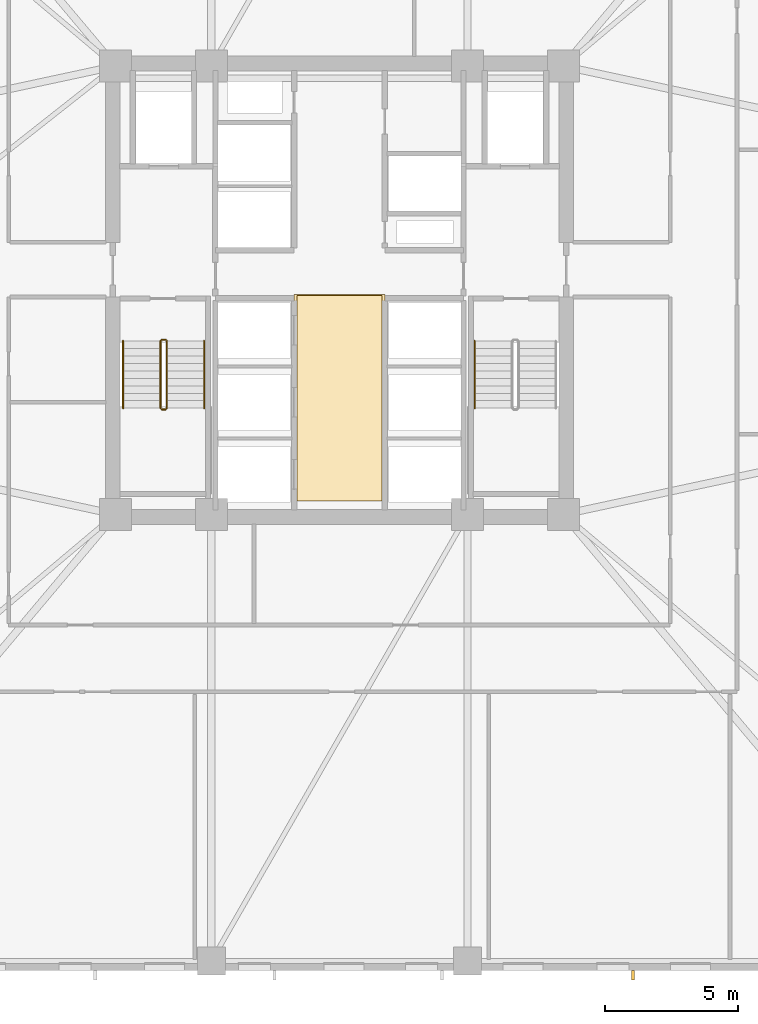
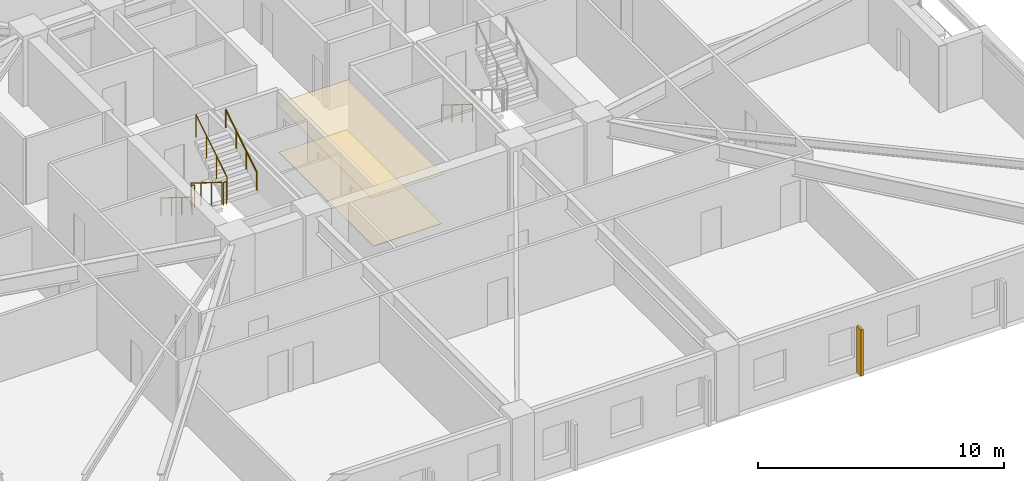
# One storey, part 8 of 11: 7 railings, 2 coverings, 1 shading device.
"""IFC4 building model written with IfcOpenShell, lengths in metres."""

from ifc_helpers import new_model, si_unit, direction, frame, origin, origin_2d, place, context, subcontext, project, spatial, polyline, rectangle, circle, outline, extrude, material, layer, layer_set, type_object, element, save


model = new_model("IFC4")

# Units and contexts
model_context = context("Model", 3, precision=1e-05, world=origin(), true_north=direction((0.0, 1.0)))
body_context = subcontext(model_context, "Body", "Model", "MODEL_VIEW")
ifc_project = project(units=[si_unit("LENGTHUNIT", "METRE"), si_unit("AREAUNIT", "SQUARE_METRE"), si_unit("VOLUMEUNIT", "CUBIC_METRE"), si_unit("PLANEANGLEUNIT", "RADIAN"), si_unit("MASSUNIT", "GRAM", prefix="KILO")], contexts=[model_context])

# Site, building, storey
site_placement = place(None, origin())
site = spatial("IfcSite", under=ifc_project, at=site_placement, CompositionType="ELEMENT")
building_placement = place(site_placement, origin())
building = spatial("IfcBuilding", under=site, at=building_placement, Name="Cairnveth Concourse Tower", CompositionType="ELEMENT")
storey_placement = place(building_placement, frame((0.0, 0.0, 62.0)))
storey = spatial("IfcBuildingStorey", under=building, at=storey_placement, Name="L16", CompositionType="ELEMENT", Elevation=62.0)

# Covering
ifc_material_1 = material(Name="Acoustic Mineral Fibre Ceiling", Category="gypsum")
ifc_layer_1 = layer(ifc_material_1, 0.02490234375)
ifc_layer_set_1 = layer_set([ifc_layer_1], Name="Acoustic Mineral Fibre Ceiling")
covering_type_1 = type_object("IfcCoveringType", Name="ACOUSTIC MINERAL FIBRE CEILING 25", PredefinedType="CEILING", material=ifc_layer_set_1)
covering_1_placement = place(storey_placement, frame((0.0, 0.0, 2.424072265625)))
element("IfcCovering", 1, at=covering_1_placement, inside=storey, type_object=covering_type_1, Name="Lift Lobby Acoustic Ceiling L16", PredefinedType="CEILING", context=body_context, shape_type="SweptSolid", body=[
    extrude(outline(polyline([(50.300048828125, 31.10009765625), (53.699951171875, 31.10009765625), (53.699951171875, 38.85009765625), (50.300048828125, 38.85009765625), (50.300048828125, 31.10009765625)])), origin(), (0.0, 0.0, 1.0), 0.02490234375),
])

# Shading device
ifc_material_2 = material(Name="Architectural Bronze Anodised Aluminium 6063-T6", Category="aluminium")
shading_device_type = type_object("IfcShadingDeviceType", Name="GOTHIC BRONZE VERTICAL LANCET FIN", PredefinedType="USERDEFINED", material=ifc_material_2)
shading_device_placement = place(storey_placement, frame((63.009521484375, 13.324951171875, 0.02978515625), z_axis=(0.0, 0.0, 1.0), x_axis=(1.0, 0.0, 0.0)))
element("IfcShadingDevice", 2, at=shading_device_placement, inside=storey, type_object=shading_device_type, Name="Gothic Bronze Vertical Fin L16-3-3", ObjectType="VERTICAL FIN", PredefinedType="USERDEFINED", context=body_context, shape_type="SweptSolid", body=[
    extrude(rectangle(XDim=0.1201171875, YDim=0.360107421875, at=origin_2d()), origin(), (0.0, 0.0, 1.0), 2.303955078125),
])

# Railings
ifc_material_3 = material(Name="Steel Grade 350", Category="steel")
railing_type_1 = type_object("IfcRailingType", Name="STAIR GUARDRAIL 1150", PredefinedType="GUARDRAIL", material=ifc_material_3)
railing_1_placement = place(storey_placement, frame((45.2900390625, 37.10009765625, 0.175048828125)))
element("IfcRailing", 3, at=railing_1_placement, inside=storey, type_object=railing_type_1, Name="L16 ST-1 stair guard 1", PredefinedType="GUARDRAIL", context=body_context, shape_type="SweptSolid", body=[
    extrude(circle(Radius=0.02392578125, at=origin_2d()), frame((0.0, 0.0, 1.1259765625), z_axis=(0.0, -0.848007534815, 0.529984170421), x_axis=(1.0, 0.0, 0.0)), (0.0, 0.0, 1.0), 2.9716796875),
    extrude(circle(Radius=0.02099609375, at=origin_2d()), origin(), (0.0, 0.0, 1.0), 1.101806640625),
    extrude(circle(Radius=0.02099609375, at=origin_2d()), frame((0.0, -0.840087890625, 0.52490234375)), (0.0, 0.0, 1.0), 1.101806640625),
    extrude(circle(Radius=0.02099609375, at=origin_2d()), frame((0.0, -1.679931640625, 1.050048828125)), (0.0, 0.0, 1.0), 1.101806640625),
    extrude(circle(Radius=0.02099609375, at=origin_2d()), frame((0.0, -2.52001953125, 1.574951171875)), (0.0, 0.0, 1.0), 1.101806640625),
])
railing_2_placement = place(storey_placement, frame((45.340087890625, 34.530029296875, 1.75)))
element("IfcRailing", 4, at=railing_2_placement, inside=storey, type_object=railing_type_1, Name="L16 ST-1 stair guard 2", PredefinedType="GUARDRAIL", context=body_context, shape_type="SweptSolid", body=[
    extrude(circle(Radius=0.02392578125, at=origin_2d()), frame((0.0, 0.0, 1.1259765625), z_axis=(1.0, 0.0, 0.0), x_axis=(0.0, 1.0, 0.0)), (0.0, 0.0, 1.0), 0.139892578125),
    extrude(circle(Radius=0.02099609375, at=origin_2d()), origin(), (0.0, 0.0, 1.0), 1.101806640625),
    extrude(circle(Radius=0.02099609375, at=origin_2d()), frame((0.139892578125, 0.0, 0.0)), (0.0, 0.0, 1.0), 1.101806640625),
])
railing_3_placement = place(storey_placement, frame((45.530029296875, 34.580078125, 1.925048828125)))
element("IfcRailing", 5, at=railing_3_placement, inside=storey, type_object=railing_type_1, Name="L16 ST-1 stair guard 3", PredefinedType="GUARDRAIL", context=body_context, shape_type="SweptSolid", body=[
    extrude(circle(Radius=0.02392578125, at=origin_2d()), frame((0.0, 0.0, 1.1259765625), z_axis=(0.0, 0.848007534815, 0.529984170421), x_axis=(-1.0, 0.0, 0.0)), (0.0, 0.0, 1.0), 2.9716796875),
    extrude(circle(Radius=0.02099609375, at=origin_2d()), origin(), (0.0, 0.0, 1.0), 1.101806640625),
    extrude(circle(Radius=0.02099609375, at=origin_2d()), frame((0.0, 0.840087890625, 0.52490234375)), (0.0, 0.0, 1.0), 1.101806640625),
    extrude(circle(Radius=0.02099609375, at=origin_2d()), frame((0.0, 1.679931640625, 1.050048828125)), (0.0, 0.0, 1.0), 1.101806640625),
    extrude(circle(Radius=0.02099609375, at=origin_2d()), frame((0.0, 2.52001953125, 1.574951171875)), (0.0, 0.0, 1.0), 1.101806640625),
])
railing_4_placement = place(storey_placement, frame((45.340087890625, 37.14990234375, 0.0)))
element("IfcRailing", 6, at=railing_4_placement, inside=storey, type_object=railing_type_1, Name="L16 ST-1 stair guard 4", PredefinedType="GUARDRAIL", context=body_context, shape_type="SweptSolid", body=[
    extrude(circle(Radius=0.02392578125, at=origin_2d()), frame((0.0, 0.0, 1.1259765625), z_axis=(1.0, 0.0, 0.0), x_axis=(0.0, 1.0, 0.0)), (0.0, 0.0, 1.0), 0.139892578125),
    extrude(circle(Radius=0.02099609375, at=origin_2d()), origin(), (0.0, 0.0, 1.0), 1.101806640625),
    extrude(circle(Radius=0.02099609375, at=origin_2d()), frame((0.139892578125, 0.0, 0.0)), (0.0, 0.0, 1.0), 1.101806640625),
])
railing_type_2 = type_object("IfcRailingType", Name="STAIR WALL HANDRAIL 900", PredefinedType="HANDRAIL", material=ifc_material_3)
railing_5_placement = place(storey_placement, frame((43.889892578125, 37.10009765625, 0.175048828125)))
element("IfcRailing", 7, at=railing_5_placement, inside=storey, type_object=railing_type_2, Name="L16 ST-1 stair handrail 1", PredefinedType="HANDRAIL", context=body_context, shape_type="SweptSolid", body=[
    extrude(circle(Radius=0.02392578125, at=origin_2d()), frame((0.0, 0.0, 0.8759765625), z_axis=(0.0, -0.848007534815, 0.529984170421), x_axis=(1.0, 0.0, 0.0)), (0.0, 0.0, 1.0), 2.9716796875),
    extrude(circle(Radius=0.02099609375, at=origin_2d()), origin(), (0.0, 0.0, 1.0), 0.851806640625),
    extrude(circle(Radius=0.02099609375, at=origin_2d()), frame((0.0, -0.840087890625, 0.52490234375)), (0.0, 0.0, 1.0), 0.851806640625),
    extrude(circle(Radius=0.02099609375, at=origin_2d()), frame((0.0, -1.679931640625, 1.050048828125)), (0.0, 0.0, 1.0), 0.851806640625),
    extrude(circle(Radius=0.02099609375, at=origin_2d()), frame((0.0, -2.52001953125, 1.574951171875)), (0.0, 0.0, 1.0), 0.851806640625),
])
railing_6_placement = place(storey_placement, frame((46.929931640625, 34.580078125, 1.925048828125)))
element("IfcRailing", 8, at=railing_6_placement, inside=storey, type_object=railing_type_2, Name="L16 ST-1 stair handrail 2", PredefinedType="HANDRAIL", context=body_context, shape_type="SweptSolid", body=[
    extrude(circle(Radius=0.02392578125, at=origin_2d()), frame((0.0, 0.0, 0.8759765625), z_axis=(0.0, 0.848007534815, 0.529984170421), x_axis=(-1.0, 0.0, 0.0)), (0.0, 0.0, 1.0), 2.9716796875),
    extrude(circle(Radius=0.02099609375, at=origin_2d()), origin(), (0.0, 0.0, 1.0), 0.851806640625),
    extrude(circle(Radius=0.02099609375, at=origin_2d()), frame((0.0, 0.840087890625, 0.52490234375)), (0.0, 0.0, 1.0), 0.851806640625),
    extrude(circle(Radius=0.02099609375, at=origin_2d()), frame((0.0, 1.679931640625, 1.050048828125)), (0.0, 0.0, 1.0), 0.851806640625),
    extrude(circle(Radius=0.02099609375, at=origin_2d()), frame((0.0, 2.52001953125, 1.574951171875)), (0.0, 0.0, 1.0), 0.851806640625),
])
railing_7_placement = place(storey_placement, frame((57.070068359375, 37.10009765625, 0.175048828125)))
element("IfcRailing", 9, at=railing_7_placement, inside=storey, type_object=railing_type_2, Name="L16 ST-2 stair handrail 1", PredefinedType="HANDRAIL", context=body_context, shape_type="SweptSolid", body=[
    extrude(circle(Radius=0.02392578125, at=origin_2d()), frame((0.0, 0.0, 0.8759765625), z_axis=(0.0, -0.848007534815, 0.529984170421), x_axis=(1.0, 0.0, 0.0)), (0.0, 0.0, 1.0), 2.9716796875),
    extrude(circle(Radius=0.02099609375, at=origin_2d()), origin(), (0.0, 0.0, 1.0), 0.851806640625),
    extrude(circle(Radius=0.02099609375, at=origin_2d()), frame((0.0, -0.840087890625, 0.52490234375)), (0.0, 0.0, 1.0), 0.851806640625),
    extrude(circle(Radius=0.02099609375, at=origin_2d()), frame((0.0, -1.679931640625, 1.050048828125)), (0.0, 0.0, 1.0), 0.851806640625),
    extrude(circle(Radius=0.02099609375, at=origin_2d()), frame((0.0, -2.52001953125, 1.574951171875)), (0.0, 0.0, 1.0), 0.851806640625),
])

# Covering
ifc_material_4 = material(Name="Vitrified Stoneware Tile Flooring", Category="masonry")
ifc_layer_2 = layer(ifc_material_4, 0.02001953125)
ifc_layer_set_2 = layer_set([ifc_layer_2], Name="Vitrified Stoneware Tile Flooring")
covering_type_2 = type_object("IfcCoveringType", Name="VITRIFIED STONEWARE LOBBY FLOORING 20", PredefinedType="FLOORING", material=ifc_layer_set_2)
covering_2_placement = place(storey_placement, origin())
element("IfcCovering", 10, at=covering_2_placement, inside=storey, type_object=covering_type_2, Name="Lift Lobby Stoneware Flooring L16", PredefinedType="FLOORING", context=body_context, shape_type="SweptSolid", body=[
    extrude(outline(polyline([(50.39990234375, 31.10009765625), (53.60009765625, 31.10009765625), (53.60009765625, 38.800048828125), (50.39990234375, 38.800048828125), (50.39990234375, 31.10009765625)])), origin(), (0.0, 0.0, 1.0), 0.02001953125),
])

save(model, "model.ifc")
